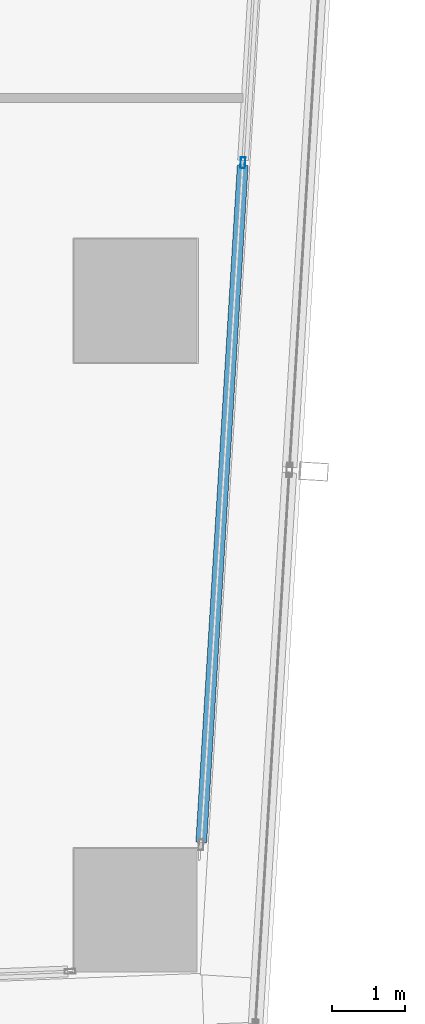
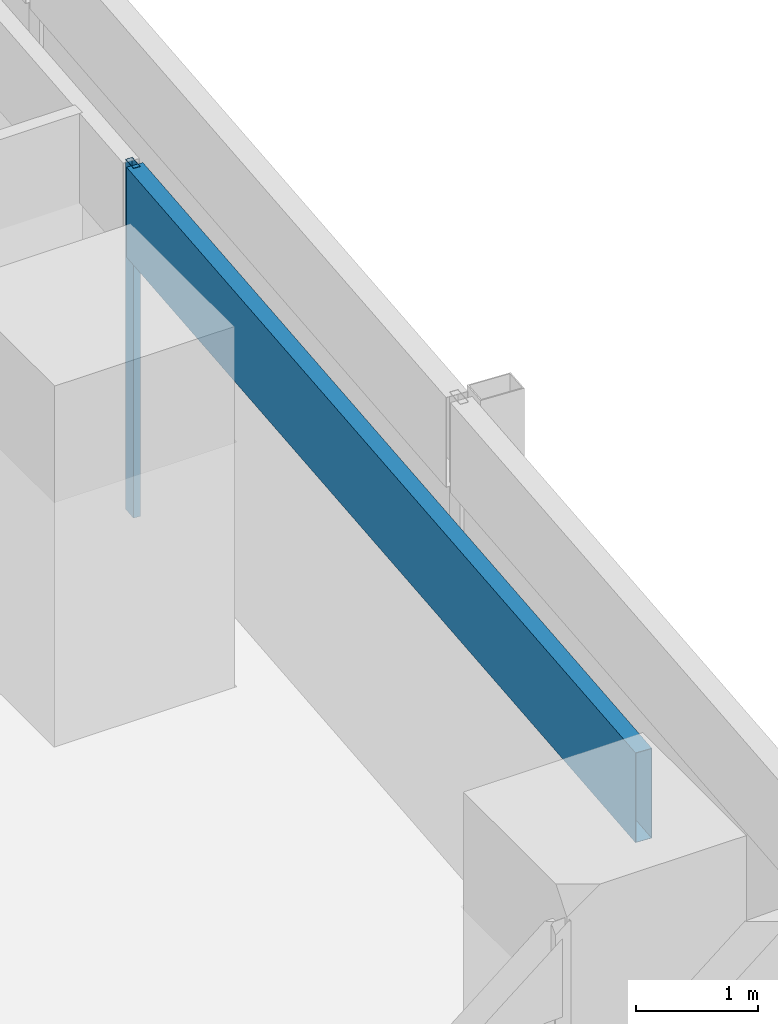
# One storey, part 13 of 40: 2 members, 1 element without a shape of its own.
"""IFC4 building model written with IfcOpenShell, lengths in metres."""

from ifc_helpers import new_model, si_unit, direction, frame, origin, origin_2d, place, context, subcontext, project, spatial, hollow_rectangle, extrude, material, material_profile, profile_set, type_object, element, aggregate, save


model = new_model("IFC4")

# Units and contexts
model_context = context("Model", 3, precision=1e-05, world=origin(), true_north=direction((0.0, 1.0)))
body_context = subcontext(model_context, "Body", "Model", "MODEL_VIEW")
ifc_project = project(units=[si_unit("LENGTHUNIT", "METRE"), si_unit("AREAUNIT", "SQUARE_METRE"), si_unit("VOLUMEUNIT", "CUBIC_METRE"), si_unit("PLANEANGLEUNIT", "RADIAN"), si_unit("MASSUNIT", "GRAM", prefix="KILO")], contexts=[model_context])

# Site, building, storey
site_placement = place(None, origin())
site = spatial("IfcSite", under=ifc_project, at=site_placement, CompositionType="ELEMENT")
building_placement = place(site_placement, origin())
building = spatial("IfcBuilding", under=site, at=building_placement, Name="Rekha Terrace Tower", CompositionType="ELEMENT")
storey_placement = place(building_placement, frame((0.0, 0.0, 132.800048828125)))
storey = spatial("IfcBuildingStorey", under=building, at=storey_placement, Name="L33", CompositionType="ELEMENT", Elevation=132.800048828125)

# Curtain wall, members
ifc_material_1 = material(Name="Aluminium framing", Category="aluminium")
curtain_wall_type = type_object("IfcCurtainWallType", Name="CW1 double skin inner glazing", PredefinedType="USERDEFINED", material=ifc_material_1)
curtain_wall_placement = place(storey_placement, origin())
curtain_wall = element("IfcCurtainWall", 1, at=curtain_wall_placement, inside=storey, type_object=curtain_wall_type, Name="CW1 double skin inner glazing", ObjectType="DOUBLE SKIN INNER GLAZING", PredefinedType="USERDEFINED")
ifc_material_2 = material(Name="Aluminium mullion section", Category="aluminium")
ifc_material_profile_1 = material_profile(ifc_material_2, hollow_rectangle(XDim=0.06494140625, YDim=0.14990234375, WallThickness=0.00390625, at=origin_2d()), Name="AL RHS 65x150")
ifc_profile_set_1 = profile_set([ifc_material_profile_1], Name="Aluminium mullion section")
member_type_1 = type_object("IfcMemberType", Name="CW1 mullion RHS 65 x 150", PredefinedType="MULLION", material=ifc_profile_set_1)
member_1_placement = place(storey_placement, frame((68.679443359375, 27.101806640625, 0.0), z_axis=(0.0, 0.0, 1.0), x_axis=(-0.998127987024, 0.061159803131, 0.0)))
member_1 = element("IfcMember", 2, at=member_1_placement, type_object=member_type_1, Name="CW1 mullion 2", PredefinedType="MULLION", context=body_context, shape_type="SweptSolid", body=[
    extrude(hollow_rectangle(XDim=0.06494140625, YDim=0.14990234375, WallThickness=0.00390625, at=origin_2d()), origin(), (0.0, 0.0, 1.0), 3.5),
])
ifc_material_3 = material(Name="Insulated aluminium spandrel box", Category="aluminium")
ifc_material_profile_2 = material_profile(ifc_material_3, hollow_rectangle(XDim=0.14990234375, YDim=0.89990234375, WallThickness=0.0029296875, at=origin_2d()), Name="AL SPANDREL BOX 150x900")
ifc_profile_set_2 = profile_set([ifc_material_profile_2], Name="Insulated aluminium spandrel box")
member_type_2 = type_object("IfcMemberType", Name="CW1 spandrel transom 150 x 900", PredefinedType="USERDEFINED", material=ifc_profile_set_2)
member_2_placement = place(storey_placement, frame((68.10546875, 17.731689453125, 3.050048828125), z_axis=(0.061145082926, 0.998128888889, 0.0), x_axis=(-0.998128888889, 0.061145082926, 0.0)))
member_2 = element("IfcMember", 3, at=member_2_placement, type_object=member_type_2, Name="CW1 spandrel transom 1", ObjectType="TRANSOM", PredefinedType="USERDEFINED", context=body_context, shape_type="SweptSolid", body=[
    extrude(hollow_rectangle(XDim=0.14990234375, YDim=0.89990234375, WallThickness=0.0029296875, at=origin_2d()), origin(), (0.0, 0.0, 1.0), 9.355224609375),
])
aggregate(curtain_wall, [member_1, member_2])

save(model, "model.ifc")
